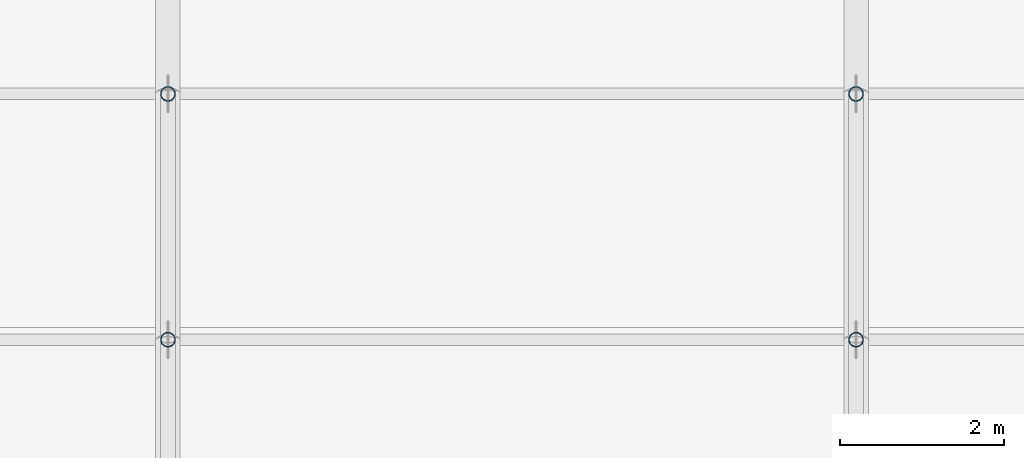
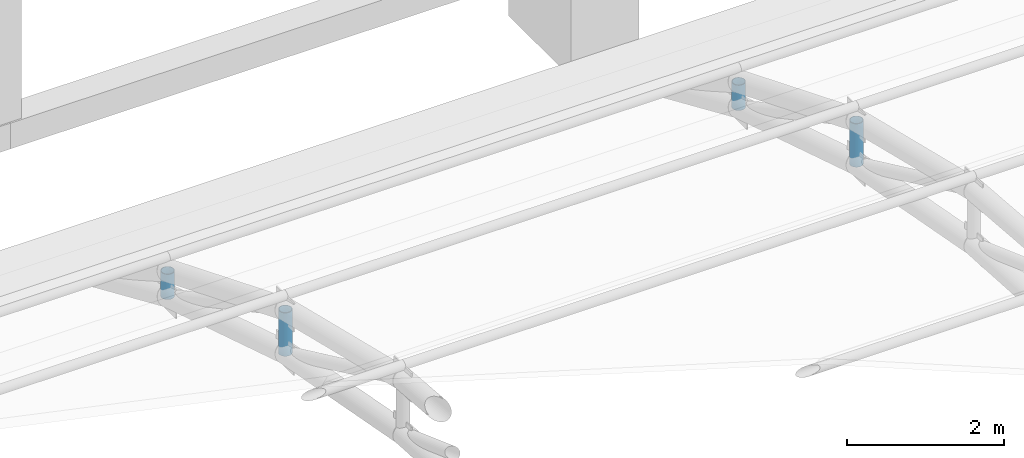
# One storey, part 71 of 163: 4 members.
"""IFC4 building model written with IfcOpenShell, lengths in metres."""

from ifc_helpers import new_model, si_unit, direction, frame, origin, origin_2d, place, context, subcontext, project, spatial, hollow_circle, extrude, material, material_profile, profile_set, type_object, element, save


model = new_model("IFC4")

# Units and contexts
model_context = context("Model", 3, precision=1e-05, world=origin(), true_north=direction((0.0, 1.0)))
body_context = subcontext(model_context, "Body", "Model", "MODEL_VIEW")
ifc_project = project(units=[si_unit("LENGTHUNIT", "METRE"), si_unit("AREAUNIT", "SQUARE_METRE"), si_unit("VOLUMEUNIT", "CUBIC_METRE"), si_unit("PLANEANGLEUNIT", "RADIAN"), si_unit("MASSUNIT", "GRAM", prefix="KILO")], contexts=[model_context])

# Site, building, storey
site_placement = place(None, origin())
site = spatial("IfcSite", under=ifc_project, at=site_placement, CompositionType="ELEMENT")
building_placement = place(site_placement, origin())
building = spatial("IfcBuilding", under=site, at=building_placement, Name="Rain Tree Exposition and Congress Centre", CompositionType="ELEMENT")
storey_placement = place(building_placement, frame((0.0, 0.0, 10.5)))
storey = spatial("IfcBuildingStorey", under=building, at=storey_placement, Name="L02", CompositionType="ELEMENT", Elevation=10.5)

# Members
ifc_material = material(Name="Steel S355J2H", Category="steel")
ifc_material_profile = material_profile(ifc_material, hollow_circle(Radius=0.090087890625, WallThickness=0.008056640625, at=origin_2d()), Name="CHS 180x8")
ifc_profile_set = profile_set([ifc_material_profile], Name="Steel S355J2H")
member_type = type_object("IfcMemberType", Name="Steel post member CHS 180x8", PredefinedType="POST", material=ifc_profile_set)
member_1_placement = place(storey_placement, frame((50.39990234375, 93.60009765625, 2.3798828125), z_axis=(0.0, 0.0, 1.0), x_axis=(1.0, 0.0, 0.0)))
element("IfcMember", 1, at=member_1_placement, inside=storey, type_object=member_type, Name="Roof truss 7 post 6", PredefinedType="POST", context=body_context, shape_type="SweptSolid", body=[
    extrude(hollow_circle(Radius=0.090087890625, WallThickness=0.008056640625, at=origin_2d()), origin(), (0.0, 0.0, 1.0), 0.675048828125),
])
member_2_placement = place(storey_placement, frame((50.39990234375, 96.60009765625, 1.4423828125), z_axis=(0.0, 0.0, 1.0), x_axis=(1.0, 0.0, 0.0)))
element("IfcMember", 2, at=member_2_placement, inside=storey, type_object=member_type, Name="Roof truss 7 post 7", PredefinedType="POST", context=body_context, shape_type="SweptSolid", body=[
    extrude(hollow_circle(Radius=0.090087890625, WallThickness=0.008056640625, at=origin_2d()), origin(), (0.0, 0.0, 1.0), 0.393798828125),
])
member_3_placement = place(storey_placement, frame((58.800048828125, 93.60009765625, 2.3798828125), z_axis=(0.0, 0.0, 1.0), x_axis=(1.0, 0.0, 0.0)))
element("IfcMember", 3, at=member_3_placement, inside=storey, type_object=member_type, Name="Roof truss 8 post 6", PredefinedType="POST", context=body_context, shape_type="SweptSolid", body=[
    extrude(hollow_circle(Radius=0.090087890625, WallThickness=0.008056640625, at=origin_2d()), origin(), (0.0, 0.0, 1.0), 0.675048828125),
])
member_4_placement = place(storey_placement, frame((58.800048828125, 96.60009765625, 1.4423828125), z_axis=(0.0, 0.0, 1.0), x_axis=(1.0, 0.0, 0.0)))
element("IfcMember", 4, at=member_4_placement, inside=storey, type_object=member_type, Name="Roof truss 8 post 7", PredefinedType="POST", context=body_context, shape_type="SweptSolid", body=[
    extrude(hollow_circle(Radius=0.090087890625, WallThickness=0.008056640625, at=origin_2d()), origin(), (0.0, 0.0, 1.0), 0.393798828125),
])

save(model, "model.ifc")
